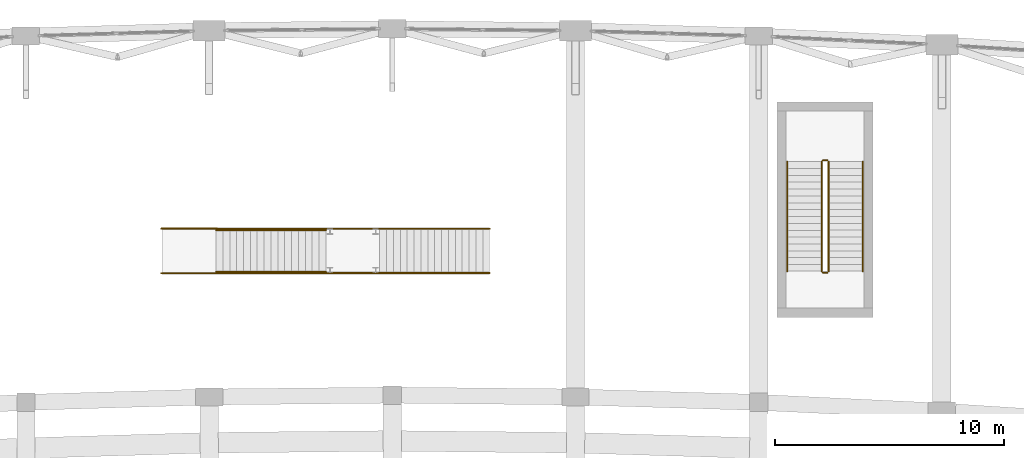
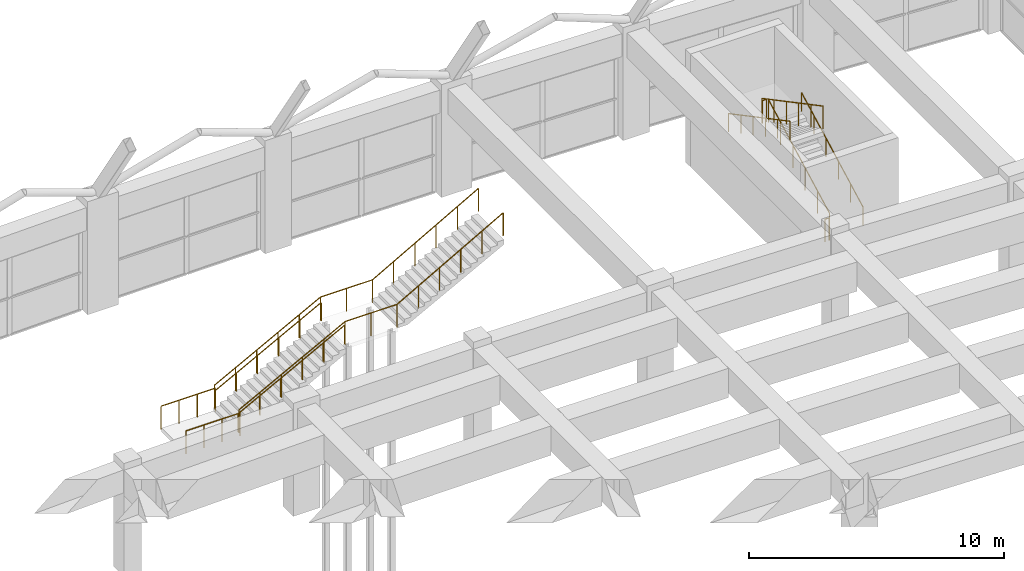
# One storey, part 66 of 69: 12 railings.
"""IFC4 building model written with IfcOpenShell, lengths in metres."""

from ifc_helpers import new_model, si_unit, direction, frame, origin, origin_2d, place, context, subcontext, project, spatial, circle, extrude, material, type_object, element, save


model = new_model("IFC4")

# Units and contexts
model_context = context("Model", 3, precision=1e-05, world=origin(), true_north=direction((0.0, 1.0)))
body_context = subcontext(model_context, "Body", "Model", "MODEL_VIEW")
ifc_project = project(units=[si_unit("LENGTHUNIT", "METRE"), si_unit("AREAUNIT", "SQUARE_METRE"), si_unit("VOLUMEUNIT", "CUBIC_METRE"), si_unit("PLANEANGLEUNIT", "RADIAN"), si_unit("MASSUNIT", "GRAM", prefix="KILO")], contexts=[model_context])

# Site, building, storey
site_placement = place(None, origin())
site = spatial("IfcSite", under=ifc_project, at=site_placement, CompositionType="ELEMENT")
building_placement = place(site_placement, origin())
building = spatial("IfcBuilding", under=site, at=building_placement, Name="Kenh Van Central Station", CompositionType="ELEMENT")
storey_placement = place(building_placement, frame((0.0, 0.0, 5.39990234375)))
storey = spatial("IfcBuildingStorey", under=building, at=storey_placement, Name="L01", CompositionType="ELEMENT", Elevation=5.39990234375)

# Railings
ifc_material = material(Name="Champagne anodised aluminium", Category="aluminium")
railing_type_1 = type_object("IfcRailingType", Name="RAIL-CORE-GRD110", PredefinedType="GUARDRAIL", material=ifc_material)
railing_1_placement = place(storey_placement, frame((107.050048828125, 104.60009765625, 0.158935546875)))
element("IfcRailing", 1, at=railing_1_placement, inside=storey, type_object=railing_type_1, Name="L01 ST-08 stair guard 1", PredefinedType="GUARDRAIL", context=body_context, shape_type="SweptSolid", body=[
    extrude(circle(Radius=0.02392578125, at=origin_2d()), frame((0.0, 0.0, 1.076171875), z_axis=(0.0, 0.883773701108, 0.467914570439), x_axis=(-1.0, 0.0, 0.0)), (0.0, 0.0, 1.0), 5.43115234375),
    extrude(circle(Radius=0.02099609375, at=origin_2d()), origin(), (0.0, 0.0, 1.0), 1.052001953125),
    extrude(circle(Radius=0.02099609375, at=origin_2d()), frame((0.0, 0.9599609375, 0.50830078125)), (0.0, 0.0, 1.0), 1.052001953125),
    extrude(circle(Radius=0.02099609375, at=origin_2d()), frame((0.0, 1.919921875, 1.0166015625)), (0.0, 0.0, 1.0), 1.052001953125),
    extrude(circle(Radius=0.02099609375, at=origin_2d()), frame((0.0, 2.8798828125, 1.524658203125)), (0.0, 0.0, 1.0), 1.052001953125),
    extrude(circle(Radius=0.02099609375, at=origin_2d()), frame((0.0, 3.83984375, 2.032958984375)), (0.0, 0.0, 1.0), 1.052001953125),
    extrude(circle(Radius=0.02099609375, at=origin_2d()), frame((0.0, 4.7998046875, 2.541259765625)), (0.0, 0.0, 1.0), 1.052001953125),
])
railing_2_placement = place(storey_placement, frame((107.0, 109.449951171875, 2.7001953125)))
element("IfcRailing", 2, at=railing_2_placement, inside=storey, type_object=railing_type_1, Name="L01 ST-08 stair guard 2", PredefinedType="GUARDRAIL", context=body_context, shape_type="SweptSolid", body=[
    extrude(circle(Radius=0.02392578125, at=origin_2d()), frame((0.0, 0.0, 1.076171875), z_axis=(-1.0, 0.0, 0.0), x_axis=(0.0, -1.0, 0.0)), (0.0, 0.0, 1.0), 0.199951171875),
    extrude(circle(Radius=0.02099609375, at=origin_2d()), origin(), (0.0, 0.0, 1.0), 1.052001953125),
    extrude(circle(Radius=0.02099609375, at=origin_2d()), frame((-0.199951171875, 0.0, 0.0)), (0.0, 0.0, 1.0), 1.052001953125),
])
railing_3_placement = place(storey_placement, frame((106.75, 109.39990234375, 2.85888671875)))
element("IfcRailing", 3, at=railing_3_placement, inside=storey, type_object=railing_type_1, Name="L01 ST-08 stair guard 3", PredefinedType="GUARDRAIL", context=body_context, shape_type="SweptSolid", body=[
    extrude(circle(Radius=0.02392578125, at=origin_2d()), frame((0.0, 0.0, 1.076171875), z_axis=(0.0, -0.883773701108, 0.467914570439), x_axis=(1.0, 0.0, 0.0)), (0.0, 0.0, 1.0), 5.43115234375),
    extrude(circle(Radius=0.02099609375, at=origin_2d()), origin(), (0.0, 0.0, 1.0), 1.052001953125),
    extrude(circle(Radius=0.02099609375, at=origin_2d()), frame((0.0, -0.9599609375, 0.50830078125)), (0.0, 0.0, 1.0), 1.052001953125),
    extrude(circle(Radius=0.02099609375, at=origin_2d()), frame((0.0, -1.919921875, 1.0166015625)), (0.0, 0.0, 1.0), 1.052001953125),
    extrude(circle(Radius=0.02099609375, at=origin_2d()), frame((0.0, -2.8798828125, 1.524658203125)), (0.0, 0.0, 1.0), 1.052001953125),
    extrude(circle(Radius=0.02099609375, at=origin_2d()), frame((0.0, -3.83984375, 2.032958984375)), (0.0, 0.0, 1.0), 1.052001953125),
    extrude(circle(Radius=0.02099609375, at=origin_2d()), frame((0.0, -4.7998046875, 2.541259765625)), (0.0, 0.0, 1.0), 1.052001953125),
])
railing_4_placement = place(storey_placement, frame((107.0, 104.550048828125, 0.0)))
element("IfcRailing", 4, at=railing_4_placement, inside=storey, type_object=railing_type_1, Name="L01 ST-08 stair guard 4", PredefinedType="GUARDRAIL", context=body_context, shape_type="SweptSolid", body=[
    extrude(circle(Radius=0.02392578125, at=origin_2d()), frame((0.0, 0.0, 1.076171875), z_axis=(-1.0, 0.0, 0.0), x_axis=(0.0, -1.0, 0.0)), (0.0, 0.0, 1.0), 0.199951171875),
    extrude(circle(Radius=0.02099609375, at=origin_2d()), origin(), (0.0, 0.0, 1.0), 1.052001953125),
    extrude(circle(Radius=0.02099609375, at=origin_2d()), frame((-0.199951171875, 0.0, 0.0)), (0.0, 0.0, 1.0), 1.052001953125),
])
for number, where, name in (
    (5, (77.89990234375, 104.52490234375, 0.0), "L01 ST-PUB6 transfer landing guard 1"),
    (6, (77.89990234375, 106.47509765625, 0.0), "L01 ST-PUB6 transfer landing guard 2"),
):
    element("IfcRailing", number, at=place(storey_placement, frame(where)), inside=storey, type_object=railing_type_1, Name=name, PredefinedType="GUARDRAIL", context=body_context, shape_type="SweptSolid", body=[
        extrude(circle(Radius=0.02392578125, at=origin_2d()), frame((0.0, 0.0, 1.09619140625), z_axis=(1.0, 0.0, 0.0), x_axis=(0.0, 1.0, 0.0)), (0.0, 0.0, 1.0), 2.4501953125),
        extrude(circle(Radius=0.02099609375, at=origin_2d()), origin(), (0.0, 0.0, 1.0), 1.072021484375),
        extrude(circle(Radius=0.02099609375, at=origin_2d()), frame((0.816650390625, 0.0, 0.0)), (0.0, 0.0, 1.0), 1.072021484375),
        extrude(circle(Radius=0.02099609375, at=origin_2d()), frame((1.633544921875, 0.0, 0.0)), (0.0, 0.0, 1.0), 1.072021484375),
        extrude(circle(Radius=0.02099609375, at=origin_2d()), frame((2.4501953125, 0.0, 0.0)), (0.0, 0.0, 1.0), 1.072021484375),
    ])
railing_type_2 = type_object("IfcRailingType", Name="RAIL-CORE-HND90", PredefinedType="HANDRAIL", material=ifc_material)
railing_5_placement = place(storey_placement, frame((108.550048828125, 104.60009765625, 0.158935546875)))
element("IfcRailing", 7, at=railing_5_placement, inside=storey, type_object=railing_type_2, Name="L01 ST-08 stair handrail 1", PredefinedType="HANDRAIL", context=body_context, shape_type="SweptSolid", body=[
    extrude(circle(Radius=0.02392578125, at=origin_2d()), frame((0.0, 0.0, 0.8759765625), z_axis=(0.0, 0.883773701108, 0.467914570439), x_axis=(-1.0, 0.0, 0.0)), (0.0, 0.0, 1.0), 5.43115234375),
    extrude(circle(Radius=0.02099609375, at=origin_2d()), origin(), (0.0, 0.0, 1.0), 0.851806640625),
    extrude(circle(Radius=0.02099609375, at=origin_2d()), frame((0.0, 0.9599609375, 0.50830078125)), (0.0, 0.0, 1.0), 0.851806640625),
    extrude(circle(Radius=0.02099609375, at=origin_2d()), frame((0.0, 1.919921875, 1.0166015625)), (0.0, 0.0, 1.0), 0.851806640625),
    extrude(circle(Radius=0.02099609375, at=origin_2d()), frame((0.0, 2.8798828125, 1.524658203125)), (0.0, 0.0, 1.0), 0.851806640625),
    extrude(circle(Radius=0.02099609375, at=origin_2d()), frame((0.0, 3.83984375, 2.032958984375)), (0.0, 0.0, 1.0), 0.851806640625),
    extrude(circle(Radius=0.02099609375, at=origin_2d()), frame((0.0, 4.7998046875, 2.541259765625)), (0.0, 0.0, 1.0), 0.851806640625),
])
railing_6_placement = place(storey_placement, frame((105.25, 109.39990234375, 2.85888671875)))
element("IfcRailing", 8, at=railing_6_placement, inside=storey, type_object=railing_type_2, Name="L01 ST-08 stair handrail 2", PredefinedType="HANDRAIL", context=body_context, shape_type="SweptSolid", body=[
    extrude(circle(Radius=0.02392578125, at=origin_2d()), frame((0.0, 0.0, 0.8759765625), z_axis=(0.0, -0.883773701108, 0.467914570439), x_axis=(1.0, 0.0, 0.0)), (0.0, 0.0, 1.0), 5.43115234375),
    extrude(circle(Radius=0.02099609375, at=origin_2d()), origin(), (0.0, 0.0, 1.0), 0.851806640625),
    extrude(circle(Radius=0.02099609375, at=origin_2d()), frame((0.0, -0.9599609375, 0.50830078125)), (0.0, 0.0, 1.0), 0.851806640625),
    extrude(circle(Radius=0.02099609375, at=origin_2d()), frame((0.0, -1.919921875, 1.0166015625)), (0.0, 0.0, 1.0), 0.851806640625),
    extrude(circle(Radius=0.02099609375, at=origin_2d()), frame((0.0, -2.8798828125, 1.524658203125)), (0.0, 0.0, 1.0), 0.851806640625),
    extrude(circle(Radius=0.02099609375, at=origin_2d()), frame((0.0, -3.83984375, 2.032958984375)), (0.0, 0.0, 1.0), 0.851806640625),
    extrude(circle(Radius=0.02099609375, at=origin_2d()), frame((0.0, -4.7998046875, 2.541259765625)), (0.0, 0.0, 1.0), 0.851806640625),
])
for number, where, name in (
    (9, (80.300048828125, 104.594970703125, 0.158935546875), "Island Platform 2 Central Transfer Stair handrail 1"),
    (10, (80.300048828125, 106.405029296875, 0.158935546875), "Island Platform 2 Central Transfer Stair handrail 2"),
):
    element("IfcRailing", number, at=place(storey_placement, frame(where)), inside=storey, type_object=railing_type_2, Name=name, PredefinedType="HANDRAIL", context=body_context, shape_type="SweptSolid", body=[
        extrude(circle(Radius=0.02392578125, at=origin_2d()), frame((0.0, 0.0, 0.8759765625), z_axis=(0.883783542688, 0.0, 0.467895981682), x_axis=(0.0, 1.0, 0.0)), (0.0, 0.0, 1.0), 5.43115234375),
        extrude(circle(Radius=0.02099609375, at=origin_2d()), origin(), (0.0, 0.0, 1.0), 0.851806640625),
        extrude(circle(Radius=0.02099609375, at=origin_2d()), frame((0.9599609375, 0.0, 0.50830078125)), (0.0, 0.0, 1.0), 0.851806640625),
        extrude(circle(Radius=0.02099609375, at=origin_2d()), frame((1.919921875, 0.0, 1.0166015625)), (0.0, 0.0, 1.0), 0.851806640625),
        extrude(circle(Radius=0.02099609375, at=origin_2d()), frame((2.880126953125, 0.0, 1.524658203125)), (0.0, 0.0, 1.0), 0.851806640625),
        extrude(circle(Radius=0.02099609375, at=origin_2d()), frame((3.840087890625, 0.0, 2.032958984375)), (0.0, 0.0, 1.0), 0.851806640625),
        extrude(circle(Radius=0.02099609375, at=origin_2d()), frame((4.800048828125, 0.0, 2.541259765625)), (0.0, 0.0, 1.0), 0.851806640625),
    ])
railing_type_3 = type_object("IfcRailingType", Name="RAIL-PUB-BAL112", PredefinedType="BALUSTRADE", material=ifc_material)
railing_7_placement = place(storey_placement, frame((80.300048828125, 104.534912109375, 0.158935546875)))
element("IfcRailing", 11, at=railing_7_placement, inside=storey, type_object=railing_type_3, Name="Island Platform 2 Central Transfer Stair balustrade 1", PredefinedType="BALUSTRADE", context=body_context, shape_type="SweptSolid", body=[
    extrude(circle(Radius=0.02392578125, at=origin_2d()), frame((0.0, 0.0, 1.09619140625), z_axis=(0.883783542688, 0.0, 0.467895981682), x_axis=(0.0, 1.0, 0.0)), (0.0, 0.0, 1.0), 5.43115234375),
    extrude(circle(Radius=0.02392578125, at=origin_2d()), frame((4.800048828125, 0.0, 3.63720703125), z_axis=(1.0, 0.0, 0.0), x_axis=(0.0, 1.0, 0.0)), (0.0, 0.0, 1.0), 2.349853515625),
    extrude(circle(Radius=0.02392578125, at=origin_2d()), frame((7.14990234375, 0.0, 3.63720703125), z_axis=(0.871581456561, 0.0, 0.490250716042), x_axis=(0.0, 1.0, 0.0)), (0.0, 0.0, 1.0), 5.50732421875),
    extrude(circle(Radius=0.02099609375, at=origin_2d()), origin(), (0.0, 0.0, 1.0), 1.072021484375),
    extrude(circle(Radius=0.02099609375, at=origin_2d()), frame((0.9599609375, 0.0, 0.50830078125)), (0.0, 0.0, 1.0), 1.072021484375),
    extrude(circle(Radius=0.02099609375, at=origin_2d()), frame((1.919921875, 0.0, 1.0166015625)), (0.0, 0.0, 1.0), 1.072021484375),
    extrude(circle(Radius=0.02099609375, at=origin_2d()), frame((2.880126953125, 0.0, 1.524658203125)), (0.0, 0.0, 1.0), 1.072021484375),
    extrude(circle(Radius=0.02099609375, at=origin_2d()), frame((3.840087890625, 0.0, 2.032958984375)), (0.0, 0.0, 1.0), 1.072021484375),
    extrude(circle(Radius=0.02099609375, at=origin_2d()), frame((4.800048828125, 0.0, 2.541259765625)), (0.0, 0.0, 1.0), 1.072021484375),
    extrude(circle(Radius=0.02099609375, at=origin_2d()), frame((5.97509765625, 0.0, 2.541259765625)), (0.0, 0.0, 1.0), 1.072021484375),
    extrude(circle(Radius=0.02099609375, at=origin_2d()), frame((7.14990234375, 0.0, 2.541259765625)), (0.0, 0.0, 1.0), 1.072021484375),
    extrude(circle(Radius=0.02099609375, at=origin_2d()), frame((8.10986328125, 0.0, 3.081298828125)), (0.0, 0.0, 1.0), 1.072021484375),
    extrude(circle(Radius=0.02099609375, at=origin_2d()), frame((9.06982421875, 0.0, 3.621337890625)), (0.0, 0.0, 1.0), 1.072021484375),
    extrude(circle(Radius=0.02099609375, at=origin_2d()), frame((10.030029296875, 0.0, 4.1611328125)), (0.0, 0.0, 1.0), 1.072021484375),
    extrude(circle(Radius=0.02099609375, at=origin_2d()), frame((10.989990234375, 0.0, 4.701171875)), (0.0, 0.0, 1.0), 1.072021484375),
    extrude(circle(Radius=0.02099609375, at=origin_2d()), frame((11.949951171875, 0.0, 5.2412109375)), (0.0, 0.0, 1.0), 1.072021484375),
])
railing_8_placement = place(storey_placement, frame((80.300048828125, 106.465087890625, 0.158935546875)))
element("IfcRailing", 12, at=railing_8_placement, inside=storey, type_object=railing_type_3, Name="Island Platform 2 Central Transfer Stair balustrade 2", PredefinedType="BALUSTRADE", context=body_context, shape_type="SweptSolid", body=[
    extrude(circle(Radius=0.02392578125, at=origin_2d()), frame((0.0, 0.0, 1.09619140625), z_axis=(0.883783542688, 0.0, 0.467895981682), x_axis=(0.0, 1.0, 0.0)), (0.0, 0.0, 1.0), 5.43115234375),
    extrude(circle(Radius=0.02392578125, at=origin_2d()), frame((4.800048828125, 0.0, 3.63720703125), z_axis=(1.0, 0.0, 0.0), x_axis=(0.0, 1.0, 0.0)), (0.0, 0.0, 1.0), 2.349853515625),
    extrude(circle(Radius=0.02392578125, at=origin_2d()), frame((7.14990234375, 0.0, 3.63720703125), z_axis=(0.871581456561, 0.0, 0.490250716042), x_axis=(0.0, 1.0, 0.0)), (0.0, 0.0, 1.0), 5.50732421875),
    extrude(circle(Radius=0.02099609375, at=origin_2d()), origin(), (0.0, 0.0, 1.0), 1.072021484375),
    extrude(circle(Radius=0.02099609375, at=origin_2d()), frame((0.9599609375, 0.0, 0.50830078125)), (0.0, 0.0, 1.0), 1.072021484375),
    extrude(circle(Radius=0.02099609375, at=origin_2d()), frame((1.919921875, 0.0, 1.0166015625)), (0.0, 0.0, 1.0), 1.072021484375),
    extrude(circle(Radius=0.02099609375, at=origin_2d()), frame((2.880126953125, 0.0, 1.524658203125)), (0.0, 0.0, 1.0), 1.072021484375),
    extrude(circle(Radius=0.02099609375, at=origin_2d()), frame((3.840087890625, 0.0, 2.032958984375)), (0.0, 0.0, 1.0), 1.072021484375),
    extrude(circle(Radius=0.02099609375, at=origin_2d()), frame((4.800048828125, 0.0, 2.541259765625)), (0.0, 0.0, 1.0), 1.072021484375),
    extrude(circle(Radius=0.02099609375, at=origin_2d()), frame((5.97509765625, 0.0, 2.541259765625)), (0.0, 0.0, 1.0), 1.072021484375),
    extrude(circle(Radius=0.02099609375, at=origin_2d()), frame((7.14990234375, 0.0, 2.541259765625)), (0.0, 0.0, 1.0), 1.072021484375),
    extrude(circle(Radius=0.02099609375, at=origin_2d()), frame((8.10986328125, 0.0, 3.081298828125)), (0.0, 0.0, 1.0), 1.072021484375),
    extrude(circle(Radius=0.02099609375, at=origin_2d()), frame((9.06982421875, 0.0, 3.621337890625)), (0.0, 0.0, 1.0), 1.072021484375),
    extrude(circle(Radius=0.02099609375, at=origin_2d()), frame((10.030029296875, 0.0, 4.1611328125)), (0.0, 0.0, 1.0), 1.072021484375),
    extrude(circle(Radius=0.02099609375, at=origin_2d()), frame((10.989990234375, 0.0, 4.701171875)), (0.0, 0.0, 1.0), 1.072021484375),
    extrude(circle(Radius=0.02099609375, at=origin_2d()), frame((11.949951171875, 0.0, 5.2412109375)), (0.0, 0.0, 1.0), 1.072021484375),
])

save(model, "model.ifc")
